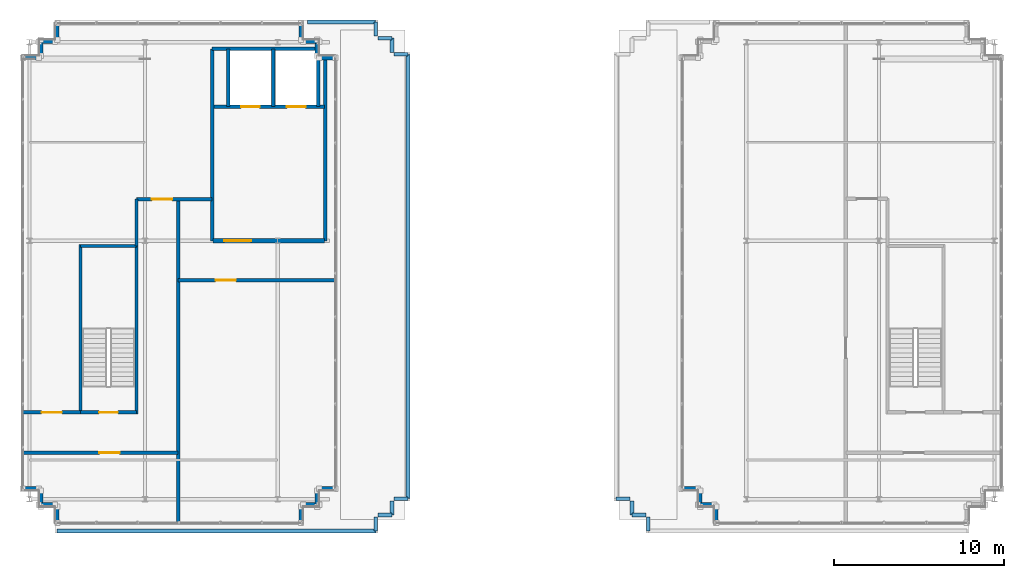
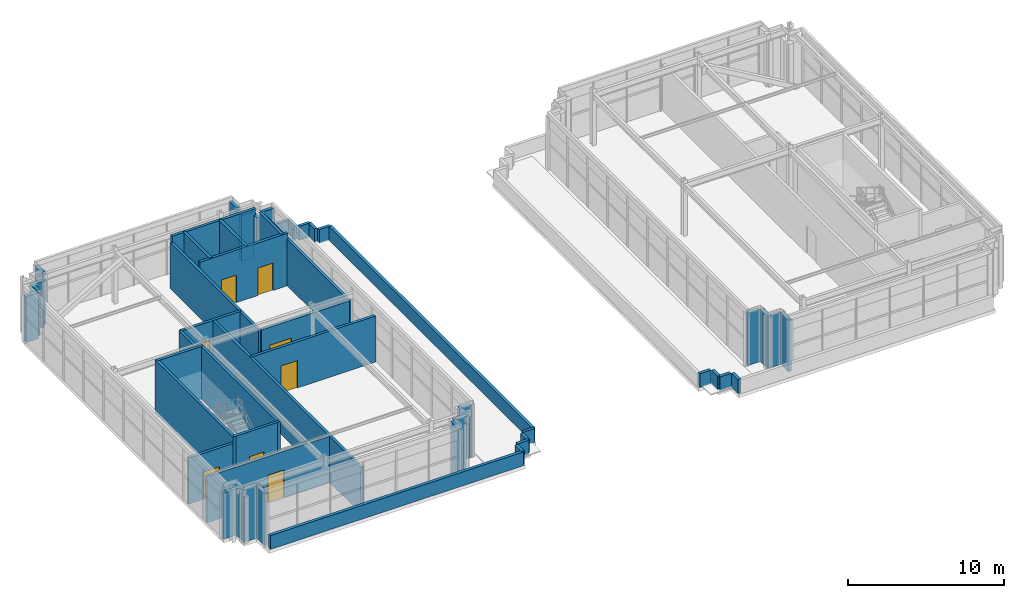
# One storey, part 25 of 28: 53 walls, 8 doors, 8 openings.
"""IFC4 building model written with IfcOpenShell, lengths in metres."""

from ifc_helpers import new_model, si_unit, direction, frame, frame_2d, origin, place, context, subcontext, project, spatial, rectangle, extrude, source, transform, mapped, material, layer, layer_set, type_object, element, fill, save


model = new_model("IFC4")

# Units and contexts
model_context = context("Model", 3, precision=1e-05, world=origin(), true_north=direction((0.0, 1.0)))
body_context = subcontext(model_context, "Body", "Model", "MODEL_VIEW")
ifc_project = project(units=[si_unit("LENGTHUNIT", "METRE"), si_unit("AREAUNIT", "SQUARE_METRE"), si_unit("VOLUMEUNIT", "CUBIC_METRE"), si_unit("PLANEANGLEUNIT", "RADIAN"), si_unit("MASSUNIT", "GRAM", prefix="KILO")], contexts=[model_context])

# Site, building, storey
site_placement = place(None, origin())
site = spatial("IfcSite", under=ifc_project, at=site_placement, CompositionType="ELEMENT")
building_placement = place(site_placement, origin())
building = spatial("IfcBuilding", under=site, at=building_placement, Name="Trelvane Seafront Commons", CompositionType="ELEMENT")
storey_placement = place(building_placement, frame((0.0, 0.0, 312.300048828125)))
storey = spatial("IfcBuildingStorey", under=building, at=storey_placement, Name="L81", CompositionType="ELEMENT", Elevation=312.300048828125)

# Walls
ifc_material_1 = material(Name="Precast concrete C40/50", Category="concrete")
ifc_layer_1 = layer(ifc_material_1, 0.239990234375, Name="ARCH-WALL-EXT240")
ifc_layer_set_1 = layer_set([ifc_layer_1], Name="Precast concrete C40/50")
wall_type_1 = type_object("IfcWallType", Name="ARCH-WALL-EXT240", PredefinedType="SOLIDWALL", material=ifc_layer_set_1)
wall_1_placement = place(storey_placement, frame((10.300048828125, 17.8701171875, 0.0), z_axis=(0.0, 0.0, 1.0), x_axis=(-1.0, 0.0, 0.0)))
element("IfcWall", 1, at=wall_1_placement, inside=storey, type_object=wall_type_1, Name="EW-L81-CRN-01692", PredefinedType="SOLIDWALL", context=body_context, shape_type="SweptSolid", body=[
    extrude(rectangle(XDim=0.949951171875, YDim=0.239990234375, at=frame_2d((0.47509765625, 0.0))), origin(), (0.0, 0.0, 1.0), 4.10986328125),
])
wall_2_placement = place(storey_placement, frame((9.469970703125, 17.75, 0.0), z_axis=(0.0, 0.0, 1.0), x_axis=(0.0, 1.0, 0.0)))
element("IfcWall", 2, at=wall_2_placement, inside=storey, type_object=wall_type_1, Name="EW-L81-CRN-01693", PredefinedType="SOLIDWALL", context=body_context, shape_type="SweptSolid", body=[
    extrude(rectangle(XDim=0.949951171875, YDim=0.239990234375, at=frame_2d((0.47509765625, 0.0))), origin(), (0.0, 0.0, 1.0), 3.60986328125),
])
for number, where, z_axis, x_axis, name in (
    (3, (9.35009765625, 18.820068359375, 0.0), (0.0, 0.0, 1.0), (-1.0, 0.0, 0.0), "EW-L81-CRN-01694"),
    (4, (8.39990234375, 44.179931640625, 0.0), (0.0, 0.0, 1.0), (1.0, 0.0, 0.0), "EW-L81-CRN-01695"),
):
    element("IfcWall", number, at=place(storey_placement, frame(where, z_axis=z_axis, x_axis=x_axis)), inside=storey, type_object=wall_type_1, Name=name, PredefinedType="SOLIDWALL", context=body_context, shape_type="SweptSolid", body=[
        extrude(rectangle(XDim=0.9501953125, YDim=0.239990234375, at=frame_2d((0.47509765625, 0.0))), origin(), (0.0, 0.0, 1.0), 3.60986328125),
    ])
for number, where, z_axis, x_axis, name in (
    (5, (9.469970703125, 44.300048828125, 0.0), (0.0, 0.0, 1.0), (0.0, 1.0, 0.0), "EW-L81-CRN-01696"),
    (6, (9.35009765625, 45.1298828125, 0.0), (0.0, 0.0, 1.0), (1.0, 0.0, 0.0), "EW-L81-CRN-01697"),
):
    element("IfcWall", number, at=place(storey_placement, frame(where, z_axis=z_axis, x_axis=x_axis)), inside=storey, type_object=wall_type_1, Name=name, PredefinedType="SOLIDWALL", context=body_context, shape_type="SweptSolid", body=[
        extrude(rectangle(XDim=0.949951171875, YDim=0.239990234375, at=frame_2d((0.47509765625, 0.0))), origin(), (0.0, 0.0, 1.0), 3.60986328125),
    ])
for number, where, z_axis, x_axis, name in (
    (7, (10.419921875, 45.25, 0.0), (0.0, 0.0, 1.0), (0.0, 1.0, 0.0), "EW-L81-CRN-01698"),
    (8, (24.780029296875, 46.199951171875, 0.0), (0.0, 0.0, 1.0), (0.0, -1.0, 0.0), "EW-L81-CRN-01699"),
):
    element("IfcWall", number, at=place(storey_placement, frame(where, z_axis=z_axis, x_axis=x_axis)), inside=storey, type_object=wall_type_1, Name=name, PredefinedType="SOLIDWALL", context=body_context, shape_type="SweptSolid", body=[
        extrude(rectangle(XDim=0.949951171875, YDim=0.239990234375, at=frame_2d((0.47509765625, 0.0))), origin(), (0.0, 0.0, 1.0), 4.10986328125),
    ])
wall_3_placement = place(storey_placement, frame((24.89990234375, 45.1298828125, 0.0), z_axis=(0.0, 0.0, 1.0), x_axis=(1.0, 0.0, 0.0)))
element("IfcWall", 9, at=wall_3_placement, inside=storey, type_object=wall_type_1, Name="EW-L81-CRN-01700", PredefinedType="SOLIDWALL", context=body_context, shape_type="SweptSolid", body=[
    extrude(rectangle(XDim=0.9501953125, YDim=0.239990234375, at=frame_2d((0.47509765625, 0.0))), origin(), (0.0, 0.0, 1.0), 3.60986328125),
])
wall_4_placement = place(storey_placement, frame((25.72998046875, 45.25, 0.0), z_axis=(0.0, 0.0, 1.0), x_axis=(0.0, -1.0, 0.0)))
element("IfcWall", 10, at=wall_4_placement, inside=storey, type_object=wall_type_1, Name="EW-L81-CRN-01701", PredefinedType="SOLIDWALL", context=body_context, shape_type="SweptSolid", body=[
    extrude(rectangle(XDim=0.949951171875, YDim=0.239990234375, at=frame_2d((0.47509765625, 0.0))), origin(), (0.0, 0.0, 1.0), 3.60986328125),
])
for number, where, z_axis, x_axis, name in (
    (11, (25.85009765625, 44.179931640625, 0.0), (0.0, 0.0, 1.0), (1.0, 0.0, 0.0), "EW-L81-CRN-01702"),
    (12, (26.800048828125, 18.820068359375, 0.0), (0.0, 0.0, 1.0), (-1.0, 0.0, 0.0), "EW-L81-CRN-01703"),
):
    element("IfcWall", number, at=place(storey_placement, frame(where, z_axis=z_axis, x_axis=x_axis)), inside=storey, type_object=wall_type_1, Name=name, PredefinedType="SOLIDWALL", context=body_context, shape_type="SweptSolid", body=[
        extrude(rectangle(XDim=0.949951171875, YDim=0.239990234375, at=frame_2d((0.47509765625, 0.0))), origin(), (0.0, 0.0, 1.0), 4.10986328125),
    ])
wall_5_placement = place(storey_placement, frame((25.72998046875, 18.699951171875, 0.0), z_axis=(0.0, 0.0, 1.0), x_axis=(0.0, -1.0, 0.0)))
element("IfcWall", 13, at=wall_5_placement, inside=storey, type_object=wall_type_1, Name="EW-L81-CRN-01704", PredefinedType="SOLIDWALL", context=body_context, shape_type="SweptSolid", body=[
    extrude(rectangle(XDim=0.949951171875, YDim=0.239990234375, at=frame_2d((0.47509765625, 0.0))), origin(), (0.0, 0.0, 1.0), 3.60986328125),
])
wall_6_placement = place(storey_placement, frame((25.85009765625, 17.8701171875, 0.0), z_axis=(0.0, 0.0, 1.0), x_axis=(-1.0, 0.0, 0.0)))
element("IfcWall", 14, at=wall_6_placement, inside=storey, type_object=wall_type_1, Name="EW-L81-CRN-01705", PredefinedType="SOLIDWALL", context=body_context, shape_type="SweptSolid", body=[
    extrude(rectangle(XDim=0.9501953125, YDim=0.239990234375, at=frame_2d((0.47509765625, 0.0))), origin(), (0.0, 0.0, 1.0), 4.10986328125),
])
for number, where, z_axis, x_axis, name in (
    (15, (24.780029296875, 17.75, 0.0), (0.0, 0.0, 1.0), (0.0, -1.0, 0.0), "EW-L81-CRN-01706"),
    (16, (10.419921875, 16.800048828125, 0.0), (0.0, 0.0, 1.0), (0.0, 1.0, 0.0), "EW-L81-CRN-01707"),
):
    element("IfcWall", number, at=place(storey_placement, frame(where, z_axis=z_axis, x_axis=x_axis)), inside=storey, type_object=wall_type_1, Name=name, PredefinedType="SOLIDWALL", context=body_context, shape_type="SweptSolid", body=[
        extrude(rectangle(XDim=0.949951171875, YDim=0.239990234375, at=frame_2d((0.47509765625, 0.0))), origin(), (0.0, 0.0, 1.0), 4.10986328125),
    ])
wall_7_placement = place(storey_placement, frame((49.10009765625, 17.8701171875, 0.0), z_axis=(0.0, 0.0, 1.0), x_axis=(-1.0, 0.0, 0.0)))
element("IfcWall", 17, at=wall_7_placement, inside=storey, type_object=wall_type_1, Name="EW-L81-CRN-01708", PredefinedType="SOLIDWALL", context=body_context, shape_type="SweptSolid", body=[
    extrude(rectangle(XDim=0.9501953125, YDim=0.239990234375, at=frame_2d((0.47509765625, 0.0))), origin(), (0.0, 0.0, 1.0), 4.10986328125),
])
for number, where, z_axis, x_axis, name in (
    (18, (48.27001953125, 17.75, 0.0), (0.0, 0.0, 1.0), (0.0, 1.0, 0.0), "EW-L81-CRN-01709"),
    (19, (48.14990234375, 18.820068359375, 0.0), (0.0, 0.0, 1.0), (-1.0, 0.0, 0.0), "EW-L81-CRN-01710"),
    (20, (49.219970703125, 16.800048828125, 0.0), (0.0, 0.0, 1.0), (0.0, 1.0, 0.0), "EW-L81-CRN-01723"),
):
    element("IfcWall", number, at=place(storey_placement, frame(where, z_axis=z_axis, x_axis=x_axis)), inside=storey, type_object=wall_type_1, Name=name, PredefinedType="SOLIDWALL", context=body_context, shape_type="SweptSolid", body=[
        extrude(rectangle(XDim=0.949951171875, YDim=0.239990234375, at=frame_2d((0.47509765625, 0.0))), origin(), (0.0, 0.0, 1.0), 4.10986328125),
    ])
ifc_material_2 = material(Name="Concrete C40/50", Category="concrete")
ifc_layer_2 = layer(ifc_material_2, 0.199951171875, Name="ARCH-WALL-FIRE200")
ifc_layer_set_2 = layer_set([ifc_layer_2], Name="Concrete C40/50")
wall_type_2 = type_object("IfcWallType", Name="ARCH-WALL-FIRE200", PredefinedType="PARTITIONING", material=ifc_layer_set_2)
wall_8_placement = place(storey_placement, frame((19.550048828125, 33.39990234375, 0.0), z_axis=(0.0, 0.0, 1.0), x_axis=(0.0, 1.0, 0.0)))
element("IfcWall", 21, at=wall_8_placement, inside=storey, type_object=wall_type_2, Name="W-L81-FFL-WEST-CR-009", PredefinedType="PARTITIONING", context=body_context, shape_type="SweptSolid", body=[
    extrude(rectangle(XDim=11.300048828125, YDim=0.199951171875, at=frame_2d((5.64990234375, 0.0))), origin(), (0.0, 0.0, 1.0), 3.60986328125),
])
wall_9_placement = place(storey_placement, frame((19.550048828125, 44.699951171875, 0.0), z_axis=(0.0, 0.0, 1.0), x_axis=(1.0, 0.0, 0.0)))
element("IfcWall", 22, at=wall_9_placement, inside=storey, type_object=wall_type_2, Name="W-L81-FFL-NORTH-CR-010", PredefinedType="PARTITIONING", context=body_context, shape_type="SweptSolid", body=[
    extrude(rectangle(XDim=6.179931640625, YDim=0.199951171875, at=frame_2d((3.08984375, 0.0))), origin(), (0.0, 0.0, 1.0), 4.10986328125),
])

# Wall, opening, door
wall_10_placement = place(storey_placement, frame((17.550048828125, 31.080078125, 0.0), z_axis=(0.0, 0.0, 1.0), x_axis=(1.0, 0.0, 0.0)))
wall_10 = element("IfcWall", 23, at=wall_10_placement, inside=storey, type_object=wall_type_2, Name="W-L81-CRNW-N-017", PredefinedType="PARTITIONING", context=body_context, shape_type="SweptSolid", body=[
    extrude(rectangle(XDim=9.239990234375, YDim=0.199951171875, at=frame_2d((4.6201171875, 0.0))), origin(), (0.0, 0.0, 1.0), 3.60986328125),
])
opening_1_placement = place(wall_10_placement, frame((2.199951171875, 0.0, 0.0)))
opening_1 = element("IfcOpeningElement", 24, at=opening_1_placement, cuts=wall_10, Name="Opening FD-L81-06", PredefinedType="OPENING", context=body_context, shape_type="SweptSolid", body=[
    extrude(rectangle(XDim=1.199951171875, YDim=2.14990234375, at=frame_2d((0.60009765625, 1.074951171875))), frame((0.0, 0.10986328125, 0.0), z_axis=(0.0, -1.0, 0.0), x_axis=(1.0, 0.0, 0.0)), (0.0, 0.0, 1.0), 0.219970703125),
])
ifc_material_3 = material(Name="Powder-coated aluminium frame", Category="aluminium")
door_type_1 = type_object("IfcDoorType", Name="ARCH-DR-FD60-1200", OperationType="NOTDEFINED", PredefinedType="DOOR", material=ifc_material_3)
shared_shape_1 = source(origin(), body_context, "Body", "SweptSolid", [
    extrude(rectangle(XDim=1.199951171875, YDim=2.14990234375, at=frame_2d((0.60009765625, 1.074951171875))), frame((0.0, 0.02490234375, 0.0), z_axis=(0.0, -1.0, 0.0), x_axis=(1.0, 0.0, 0.0)), (0.0, 0.0, 1.0), 0.050048828125),
])
door_1_placement = place(opening_1_placement, origin())
door_1 = element("IfcDoor", 25, at=door_1_placement, inside=storey, type_object=door_type_1, Name="L81 West AHU Plant Door", OperationType="SINGLE_SWING_RIGHT", OverallHeight=2.14990234375, OverallWidth=1.199951171875, PredefinedType="DOOR", context=body_context, shape_type="MappedRepresentation", body=[
    mapped(shared_shape_1, transform((0.0, 0.0, 0.0), x_axis=(1.0, 0.0, 0.0), y_axis=(0.0, 1.0, 0.0), z_axis=(0.0, 0.0, 1.0), scale=1.0)),
])
fill(opening_1, door_1)

# Wall
wall_11_placement = place(storey_placement, frame((17.550048828125, 16.81005859375, 0.0), z_axis=(0.0, 0.0, 1.0), x_axis=(0.0, 1.0, 0.0)))
element("IfcWall", 26, at=wall_11_placement, inside=storey, type_object=wall_type_2, Name="W-L81-CRNW-E-018", PredefinedType="PARTITIONING", context=body_context, shape_type="SweptSolid", body=[
    extrude(rectangle(XDim=19.0400390625, YDim=0.199951171875, at=frame_2d((9.52001953125, 0.0))), origin(), (0.0, 0.0, 1.0), 3.60986328125),
])

# Wall, opening, door
wall_12_placement = place(storey_placement, frame((8.409912109375, 20.919921875, 0.0), z_axis=(0.0, 0.0, 1.0), x_axis=(1.0, 0.0, 0.0)))
wall_12 = element("IfcWall", 27, at=wall_12_placement, inside=storey, type_object=wall_type_2, Name="W-L81-CRNW-S-019", PredefinedType="PARTITIONING", context=body_context, shape_type="SweptSolid", body=[
    extrude(rectangle(XDim=9.14013671875, YDim=0.199951171875, at=frame_2d((4.570068359375, 0.0))), origin(), (0.0, 0.0, 1.0), 3.60986328125),
])
opening_2_placement = place(wall_12_placement, frame((4.5, 0.0, 0.0)))
opening_2 = element("IfcOpeningElement", 28, at=opening_2_placement, cuts=wall_12, Name="Opening FD-L81-07", PredefinedType="OPENING", context=body_context, shape_type="SweptSolid", body=[
    extrude(rectangle(XDim=1.199951171875, YDim=2.14990234375, at=frame_2d((0.60009765625, 1.074951171875))), frame((0.0, 0.10986328125, 0.0), z_axis=(0.0, -1.0, 0.0), x_axis=(1.0, 0.0, 0.0)), (0.0, 0.0, 1.0), 0.219970703125),
])
door_2_placement = place(opening_2_placement, origin())
door_2 = element("IfcDoor", 29, at=door_2_placement, inside=storey, type_object=door_type_1, Name="L81 Emergency Power Room Door", OperationType="SINGLE_SWING_LEFT", OverallHeight=2.14990234375, OverallWidth=1.199951171875, PredefinedType="DOOR", context=body_context, shape_type="MappedRepresentation", body=[
    mapped(shared_shape_1, transform((0.0, 0.0, 0.0), x_axis=(1.0, 0.0, 0.0), y_axis=(0.0, 1.0, 0.0), z_axis=(0.0, 0.0, 1.0), scale=1.0)),
])
fill(opening_2, door_2)

wall_13_placement = place(storey_placement, frame((8.409912109375, 23.300048828125, 0.0), z_axis=(0.0, 0.0, 1.0), x_axis=(1.0, 0.0, 0.0)))
wall_13 = element("IfcWall", 30, at=wall_13_placement, inside=storey, type_object=wall_type_2, Name="W-L81-CRNW-WCT-020", PredefinedType="PARTITIONING", context=body_context, shape_type="SweptSolid", body=[
    extrude(rectangle(XDim=3.39013671875, YDim=0.199951171875, at=frame_2d((1.695068359375, 0.0))), origin(), (0.0, 0.0, 1.0), 3.60986328125),
])
opening_3_placement = place(wall_13_placement, frame((1.10009765625, 0.0, 0.0)))
opening_3 = element("IfcOpeningElement", 31, at=opening_3_placement, cuts=wall_13, Name="Opening FD-L81-08", PredefinedType="OPENING", context=body_context, shape_type="SweptSolid", body=[
    extrude(rectangle(XDim=1.199951171875, YDim=2.14990234375, at=frame_2d((0.60009765625, 1.074951171875))), frame((0.0, 0.10986328125, 0.0), z_axis=(0.0, -1.0, 0.0), x_axis=(1.0, 0.0, 0.0)), (0.0, 0.0, 1.0), 0.219970703125),
])
door_3_placement = place(opening_3_placement, origin())
door_3 = element("IfcDoor", 32, at=door_3_placement, inside=storey, type_object=door_type_1, Name="L81 Cooling Tower Hall Door", OperationType="SINGLE_SWING_RIGHT", OverallHeight=2.14990234375, OverallWidth=1.199951171875, PredefinedType="DOOR", context=body_context, shape_type="MappedRepresentation", body=[
    mapped(shared_shape_1, transform((0.0, 0.0, 0.0), x_axis=(1.0, 0.0, 0.0), y_axis=(0.0, 1.0, 0.0), z_axis=(0.0, 0.0, 1.0), scale=1.0)),
])
fill(opening_3, door_3)

wall_14_placement = place(storey_placement, frame((15.10009765625, 35.85009765625, 0.0), z_axis=(0.0, 0.0, 1.0), x_axis=(1.0, 0.0, 0.0)))
wall_14 = element("IfcWall", 33, at=wall_14_placement, inside=storey, type_object=wall_type_2, Name="W-L81-CRNW-SPN-021", PredefinedType="PARTITIONING", context=body_context, shape_type="SweptSolid", body=[
    extrude(rectangle(XDim=4.449951171875, YDim=0.199951171875, at=frame_2d((2.22509765625, 0.0))), origin(), (0.0, 0.0, 1.0), 3.60986328125),
])
opening_4_placement = place(wall_14_placement, frame((0.89990234375, 0.0, 0.0)))
opening_4 = element("IfcOpeningElement", 34, at=opening_4_placement, cuts=wall_14, Name="Opening FD-L81-09", PredefinedType="OPENING", context=body_context, shape_type="SweptSolid", body=[
    extrude(rectangle(XDim=1.199951171875, YDim=2.14990234375, at=frame_2d((0.60009765625, 1.074951171875))), frame((0.0, 0.10986328125, 0.0), z_axis=(0.0, -1.0, 0.0), x_axis=(1.0, 0.0, 0.0)), (0.0, 0.0, 1.0), 0.219970703125),
])
door_4_placement = place(opening_4_placement, origin())
door_4 = element("IfcDoor", 35, at=door_4_placement, inside=storey, type_object=door_type_1, Name="L81 Door 09", OperationType="SINGLE_SWING_LEFT", OverallHeight=2.14990234375, OverallWidth=1.199951171875, PredefinedType="DOOR", context=body_context, shape_type="MappedRepresentation", body=[
    mapped(shared_shape_1, transform((0.0, 0.0, 0.0), x_axis=(1.0, 0.0, 0.0), y_axis=(0.0, 1.0, 0.0), z_axis=(0.0, 0.0, 1.0), scale=1.0)),
])
fill(opening_4, door_4)

# Wall
wall_15_placement = place(storey_placement, frame((15.10009765625, 33.10009765625, 0.0), z_axis=(0.0, 0.0, 1.0), x_axis=(0.0, 1.0, 0.0)))
element("IfcWall", 36, at=wall_15_placement, inside=storey, type_object=wall_type_2, Name="W-L81-CRNW-SPW-022", PredefinedType="PARTITIONING", context=body_context, shape_type="SweptSolid", body=[
    extrude(rectangle(XDim=2.75, YDim=0.199951171875, at=frame_2d((1.375, 0.0))), origin(), (0.0, 0.0, 1.0), 3.60986328125),
])

# Wall, opening, door
ifc_layer_3 = layer(ifc_material_2, 0.25, Name="ARCH-WALL-FIRE250")
ifc_layer_set_3 = layer_set([ifc_layer_3], Name="Concrete C40/50")
wall_type_3 = type_object("IfcWallType", Name="ARCH-WALL-FIRE250", PredefinedType="PARTITIONING", material=ifc_layer_set_3)
wall_16_placement = place(storey_placement, frame((19.60009765625, 33.39990234375, 0.0), z_axis=(0.0, 0.0, 1.0), x_axis=(1.0, 0.0, 0.0)))
wall_16 = element("IfcWall", 37, at=wall_16_placement, inside=storey, type_object=wall_type_3, Name="W-L81-CS-FFL-016", PredefinedType="PARTITIONING", context=body_context, shape_type="SweptSolid", body=[
    extrude(rectangle(XDim=6.5498046875, YDim=0.25, at=frame_2d((3.27490234375, 0.0))), origin(), (0.0, 0.0, 1.0), 3.60986328125),
])
opening_5_placement = place(wall_16_placement, frame((0.64990234375, 0.0, 0.0)))
opening_5 = element("IfcOpeningElement", 38, at=opening_5_placement, cuts=wall_16, Name="Opening FD-L81-05", PredefinedType="OPENING", context=body_context, shape_type="SweptSolid", body=[
    extrude(rectangle(XDim=1.60009765625, YDim=2.199951171875, at=frame_2d((0.800048828125, 1.10009765625))), frame((0.0, 0.135009765625, 0.0), z_axis=(0.0, -1.0, 0.0), x_axis=(1.0, 0.0, 0.0)), (0.0, 0.0, 1.0), 0.27001953125),
])
door_type_2 = type_object("IfcDoorType", Name="ARCH-DR-FD60-1600", OperationType="DOUBLE_DOOR_SINGLE_SWING", PredefinedType="DOOR", material=ifc_material_3)
shared_shape_2 = source(origin(), body_context, "Body", "SweptSolid", [
    extrude(rectangle(XDim=1.60009765625, YDim=2.199951171875, at=frame_2d((0.800048828125, 1.10009765625))), frame((0.0, 0.02490234375, 0.0), z_axis=(0.0, -1.0, 0.0), x_axis=(1.0, 0.0, 0.0)), (0.0, 0.0, 1.0), 0.050048828125),
])
door_5_placement = place(opening_5_placement, origin())
door_5 = element("IfcDoor", 39, at=door_5_placement, inside=storey, type_object=door_type_2, Name="L81 Firefighting Lift Lobby Double Fire Door", OperationType="DOUBLE_DOOR_SINGLE_SWING", OverallHeight=2.199951171875, OverallWidth=1.60009765625, PredefinedType="DOOR", context=body_context, shape_type="MappedRepresentation", body=[
    mapped(shared_shape_2, transform((0.0, 0.0, 0.0), x_axis=(1.0, 0.0, 0.0), y_axis=(0.0, 1.0, 0.0), z_axis=(0.0, 0.0, 1.0), scale=1.0)),
])
fill(opening_5, door_5)

# Walls
ifc_layer_4 = layer(ifc_material_1, 0.219970703125, Name="ARCH-WALL-PARAPET220")
ifc_layer_set_4 = layer_set([ifc_layer_4], Name="Precast concrete C40/50")
wall_type_4 = type_object("IfcWallType", Name="ARCH-WALL-PARAPET220", PredefinedType="PARAPET", material=ifc_layer_set_4)
wall_17_placement = place(storey_placement, frame((25.168212890625, 46.280029296875, 0.0), z_axis=(0.0, 0.0, 1.0), x_axis=(1.0, 0.0, 0.0)))
element("IfcWall", 40, at=wall_17_placement, inside=storey, type_object=wall_type_4, Name="PAR-L81-1724", PredefinedType="PARAPET", context=body_context, shape_type="SweptSolid", body=[
    extrude(rectangle(XDim=4.01171875, YDim=0.219970703125, at=frame_2d((2.005859375, 0.0))), origin(), (0.0, 0.0, 1.0), 1.079833984375),
])
wall_18_placement = place(storey_placement, frame((29.179931640625, 46.280029296875, 0.0), z_axis=(0.0, 0.0, 1.0), x_axis=(0.0, -1.0, 0.0)))
element("IfcWall", 41, at=wall_18_placement, inside=storey, type_object=wall_type_4, Name="PAR-L81-1725", PredefinedType="PARAPET", context=body_context, shape_type="SweptSolid", body=[
    extrude(rectangle(XDim=0.830078125, YDim=0.219970703125, at=frame_2d((0.4150390625, 0.0))), origin(), (0.0, 0.0, 1.0), 1.079833984375),
])
wall_19_placement = place(storey_placement, frame((29.300048828125, 45.330078125, 0.0), z_axis=(0.0, 0.0, 1.0), x_axis=(1.0, 0.0, 0.0)))
element("IfcWall", 42, at=wall_19_placement, inside=storey, type_object=wall_type_4, Name="PAR-L81-1726", PredefinedType="PARAPET", context=body_context, shape_type="SweptSolid", body=[
    extrude(rectangle(XDim=0.829833984375, YDim=0.219970703125, at=frame_2d((0.4150390625, 0.0))), origin(), (0.0, 0.0, 1.0), 1.079833984375),
])
for number, where, z_axis, x_axis, name in (
    (43, (30.1298828125, 45.330078125, 0.0), (0.0, 0.0, 1.0), (0.0, -1.0, 0.0), "PAR-L81-1727"),
    (44, (30.25, 44.3798828125, 0.0), (0.0, 0.0, 1.0), (1.0, 0.0, 0.0), "PAR-L81-1728"),
):
    element("IfcWall", number, at=place(storey_placement, frame(where, z_axis=z_axis, x_axis=x_axis)), inside=storey, type_object=wall_type_4, Name=name, PredefinedType="PARAPET", context=body_context, shape_type="SweptSolid", body=[
        extrude(rectangle(XDim=0.830078125, YDim=0.219970703125, at=frame_2d((0.4150390625, 0.0))), origin(), (0.0, 0.0, 1.0), 1.079833984375),
    ])
wall_20_placement = place(storey_placement, frame((31.080078125, 44.3798828125, 0.0), z_axis=(0.0, 0.0, 1.0), x_axis=(0.0, -1.0, 0.0)))
element("IfcWall", 45, at=wall_20_placement, inside=storey, type_object=wall_type_4, Name="PAR-L81-1729", PredefinedType="PARAPET", context=body_context, shape_type="SweptSolid", body=[
    extrude(rectangle(XDim=26.159912109375, YDim=0.219970703125, at=frame_2d((13.080078125, 0.0))), origin(), (0.0, 0.0, 1.0), 1.079833984375),
])
for number, where, z_axis, x_axis, name in (
    (46, (31.080078125, 18.219970703125, 0.0), (0.0, 0.0, 1.0), (-1.0, 0.0, 0.0), "PAR-L81-1730"),
    (47, (30.1298828125, 18.10009765625, 0.0), (0.0, 0.0, 1.0), (0.0, -1.0, 0.0), "PAR-L81-1731"),
):
    element("IfcWall", number, at=place(storey_placement, frame(where, z_axis=z_axis, x_axis=x_axis)), inside=storey, type_object=wall_type_4, Name=name, PredefinedType="PARAPET", context=body_context, shape_type="SweptSolid", body=[
        extrude(rectangle(XDim=0.830078125, YDim=0.219970703125, at=frame_2d((0.4150390625, 0.0))), origin(), (0.0, 0.0, 1.0), 1.079833984375),
    ])
for number, where, z_axis, x_axis, name in (
    (48, (30.1298828125, 17.27001953125, 0.0), (0.0, 0.0, 1.0), (-1.0, 0.0, 0.0), "PAR-L81-1732"),
    (49, (29.179931640625, 17.14990234375, 0.0), (0.0, 0.0, 1.0), (0.0, -1.0, 0.0), "PAR-L81-1733"),
):
    element("IfcWall", number, at=place(storey_placement, frame(where, z_axis=z_axis, x_axis=x_axis)), inside=storey, type_object=wall_type_4, Name=name, PredefinedType="PARAPET", context=body_context, shape_type="SweptSolid", body=[
        extrude(rectangle(XDim=0.829833984375, YDim=0.219970703125, at=frame_2d((0.4150390625, 0.0))), origin(), (0.0, 0.0, 1.0), 1.079833984375),
    ])
wall_21_placement = place(storey_placement, frame((29.179931640625, 16.320068359375, 0.0), z_axis=(0.0, 0.0, 1.0), x_axis=(-1.0, 0.0, 0.0)))
element("IfcWall", 50, at=wall_21_placement, inside=storey, type_object=wall_type_4, Name="PAR-L81-1734", PredefinedType="PARAPET", context=body_context, shape_type="SweptSolid", body=[
    extrude(rectangle(XDim=18.760009765625, YDim=0.219970703125, at=frame_2d((9.3798828125, 0.0))), origin(), (0.0, 0.0, 1.0), 1.079833984375),
])
wall_22_placement = place(storey_placement, frame((44.27001953125, 17.27001953125, 0.0), z_axis=(0.0, 0.0, 1.0), x_axis=(0.0, 1.0, 0.0)))
element("IfcWall", 51, at=wall_22_placement, inside=storey, type_object=wall_type_4, Name="PAR-L81-1735", PredefinedType="PARAPET", context=body_context, shape_type="SweptSolid", body=[
    extrude(rectangle(XDim=0.830078125, YDim=0.219970703125, at=frame_2d((0.4150390625, 0.0))), origin(), (0.0, 0.0, 1.0), 1.079833984375),
])
for number, where, z_axis, x_axis, name in (
    (52, (44.14990234375, 18.219970703125, 0.0), (0.0, 0.0, 1.0), (-1.0, 0.0, 0.0), "PAR-L81-1736"),
    (53, (45.219970703125, 16.320068359375, 0.0), (0.0, 0.0, 1.0), (0.0, 1.0, 0.0), "PAR-L81-1744"),
):
    element("IfcWall", number, at=place(storey_placement, frame(where, z_axis=z_axis, x_axis=x_axis)), inside=storey, type_object=wall_type_4, Name=name, PredefinedType="PARAPET", context=body_context, shape_type="SweptSolid", body=[
        extrude(rectangle(XDim=0.829833984375, YDim=0.219970703125, at=frame_2d((0.4150390625, 0.0))), origin(), (0.0, 0.0, 1.0), 1.079833984375),
    ])
wall_23_placement = place(storey_placement, frame((45.10009765625, 17.27001953125, 0.0), z_axis=(0.0, 0.0, 1.0), x_axis=(-1.0, 0.0, 0.0)))
element("IfcWall", 54, at=wall_23_placement, inside=storey, type_object=wall_type_4, Name="PAR-L81-1745", PredefinedType="PARAPET", context=body_context, shape_type="SweptSolid", body=[
    extrude(rectangle(XDim=0.830078125, YDim=0.219970703125, at=frame_2d((0.4150390625, 0.0))), origin(), (0.0, 0.0, 1.0), 1.079833984375),
])

# Wall, openings, doors
ifc_layer_5 = layer(ifc_material_2, 0.199951171875, Name="ARCH-WALL-SHAFT200")
ifc_layer_set_5 = layer_set([ifc_layer_5], Name="Concrete C40/50")
wall_type_5 = type_object("IfcWallType", Name="ARCH-WALL-SHAFT200", PredefinedType="SOLIDWALL", material=ifc_layer_set_5)
wall_24_placement = place(storey_placement, frame((19.64990234375, 41.300048828125, 0.0), z_axis=(0.0, 0.0, 1.0), x_axis=(1.0, 0.0, 0.0)))
wall_24 = element("IfcWall", 55, at=wall_24_placement, inside=storey, type_object=wall_type_5, Name="W-L81-FFL-FRONT-011", PredefinedType="SOLIDWALL", context=body_context, shape_type="SweptSolid", body=[
    extrude(rectangle(XDim=6.5, YDim=0.199951171875, at=frame_2d((3.25, 0.0))), origin(), (0.0, 0.0, 1.0), 4.10986328125),
])
opening_6_placement = place(wall_24_placement, frame((1.60009765625, 0.0, 0.0)))
opening_6 = element("IfcOpeningElement", 56, at=opening_6_placement, cuts=wall_24, Name="Opening LD-FF1-L81", PredefinedType="OPENING", context=body_context, shape_type="SweptSolid", body=[
    extrude(rectangle(XDim=1.10009765625, YDim=2.14990234375, at=frame_2d((0.550048828125, 1.074951171875))), frame((0.0, 0.10986328125, 0.0), z_axis=(0.0, -1.0, 0.0), x_axis=(1.0, 0.0, 0.0)), (0.0, 0.0, 1.0), 0.219970703125),
])
opening_7_placement = place(wall_24_placement, frame((4.300048828125, 0.0, 0.0)))
opening_7 = element("IfcOpeningElement", 57, at=opening_7_placement, cuts=wall_24, Name="Opening LD-FF2-L81", PredefinedType="OPENING", context=body_context, shape_type="SweptSolid", body=[
    extrude(rectangle(XDim=1.10009765625, YDim=2.14990234375, at=frame_2d((0.550048828125, 1.074951171875))), frame((0.0, 0.10986328125, 0.0), z_axis=(0.0, -1.0, 0.0), x_axis=(1.0, 0.0, 0.0)), (0.0, 0.0, 1.0), 0.219970703125),
])
ifc_material_4 = material(Name="Stainless steel balustrade", Category="steel")
door_type_3 = type_object("IfcDoorType", Name="ARCH-DR-LD1100", OperationType="DOUBLE_DOOR_SLIDING", PredefinedType="DOOR", material=ifc_material_4)
shared_shape_3 = source(origin(), body_context, "Body", "SweptSolid", [
    extrude(rectangle(XDim=1.10009765625, YDim=2.14990234375, at=frame_2d((0.550048828125, 1.074951171875))), frame((0.0, 0.02490234375, 0.0), z_axis=(0.0, -1.0, 0.0), x_axis=(1.0, 0.0, 0.0)), (0.0, 0.0, 1.0), 0.050048828125),
])
door_6_placement = place(opening_6_placement, origin())
door_6 = element("IfcDoor", 58, at=door_6_placement, inside=storey, type_object=door_type_3, Name="L81 Firefighting Lift FFL-1 Landing Door", OperationType="DOUBLE_DOOR_SLIDING", OverallHeight=2.14990234375, OverallWidth=1.10009765625, PredefinedType="DOOR", context=body_context, shape_type="MappedRepresentation", body=[
    mapped(shared_shape_3, transform((0.0, 0.0, 0.0), x_axis=(1.0, 0.0, 0.0), y_axis=(0.0, 1.0, 0.0), z_axis=(0.0, 0.0, 1.0), scale=1.0)),
])
fill(opening_6, door_6)
door_7_placement = place(opening_7_placement, origin())
door_7 = element("IfcDoor", 59, at=door_7_placement, inside=storey, type_object=door_type_3, Name="L81 Firefighting Lift FFL-2 Landing Door", OperationType="DOUBLE_DOOR_SLIDING", OverallHeight=2.14990234375, OverallWidth=1.10009765625, PredefinedType="DOOR", context=body_context, shape_type="MappedRepresentation", body=[
    mapped(shared_shape_3, transform((0.0, 0.0, 0.0), x_axis=(1.0, 0.0, 0.0), y_axis=(0.0, 1.0, 0.0), z_axis=(0.0, 0.0, 1.0), scale=1.0)),
])
fill(opening_7, door_7)

# Walls
for number, where, z_axis, x_axis, name in (
    (60, (20.5, 41.300048828125, 0.0), (0.0, 0.0, 1.0), (0.0, 1.0, 0.0), "W-L81-FFL-SH-W-012"),
    (61, (23.14990234375, 41.300048828125, 0.0), (0.0, 0.0, 1.0), (0.0, 1.0, 0.0), "W-L81-FFL-DIV-013"),
):
    element("IfcWall", number, at=place(storey_placement, frame(where, z_axis=z_axis, x_axis=x_axis)), inside=storey, type_object=wall_type_5, Name=name, PredefinedType="SOLIDWALL", context=body_context, shape_type="SweptSolid", body=[
        extrude(rectangle(XDim=3.39990234375, YDim=0.199951171875, at=frame_2d((1.699951171875, 0.0))), origin(), (0.0, 0.0, 1.0), 4.10986328125),
    ])
wall_25_placement = place(storey_placement, frame((25.800048828125, 41.300048828125, 0.0), z_axis=(0.0, 0.0, 1.0), x_axis=(0.0, 1.0, 0.0)))
element("IfcWall", 62, at=wall_25_placement, inside=storey, type_object=wall_type_5, Name="W-L81-FFL-SH-E-014", PredefinedType="SOLIDWALL", context=body_context, shape_type="SweptSolid", body=[
    extrude(rectangle(XDim=2.85986328125, YDim=0.199951171875, at=frame_2d((1.429931640625, 0.0))), origin(), (0.0, 0.0, 1.0), 4.10986328125),
])
wall_26_placement = place(storey_placement, frame((26.199951171875, 33.39990234375, 0.0), z_axis=(0.0, 0.0, 1.0), x_axis=(0.0, 1.0, 0.0)))
element("IfcWall", 63, at=wall_26_placement, inside=storey, type_object=wall_type_5, Name="W-L81-FFL-EAST-015", PredefinedType="SOLIDWALL", context=body_context, shape_type="SweptSolid", body=[
    extrude(rectangle(XDim=10.760009765625, YDim=0.199951171875, at=frame_2d((5.3798828125, 0.0))), origin(), (0.0, 0.0, 1.0), 3.60986328125),
])
ifc_material_5 = material(Name="Concrete C50/60", Category="concrete")
ifc_layer_6 = layer(ifc_material_5, 0.199951171875, Name="STR-WALL-STAIR200")
ifc_layer_set_6 = layer_set([ifc_layer_6], Name="Concrete C50/60")
wall_type_6 = type_object("IfcWallType", Name="STR-WALL-STAIR200", PredefinedType="SHEAR", material=ifc_layer_set_6)
for number, where, z_axis, x_axis, name in (
    (64, (11.800048828125, 23.199951171875, 0.0), (0.0, 0.0, 1.0), (0.0, 1.0, 0.0), "W-L81-ST5-W-001"),
    (65, (15.10009765625, 23.199951171875, 0.0), (0.0, 0.0, 1.0), (0.0, 1.0, 0.0), "W-L81-ST5-E-002"),
):
    element("IfcWall", number, at=place(storey_placement, frame(where, z_axis=z_axis, x_axis=x_axis)), inside=storey, type_object=wall_type_6, Name=name, PredefinedType="SHEAR", context=body_context, shape_type="SweptSolid", body=[
        extrude(rectangle(XDim=10.0, YDim=0.199951171875, at=frame_2d((5.0, 0.0))), origin(), (0.0, 0.0, 1.0), 4.10986328125),
    ])
wall_27_placement = place(storey_placement, frame((11.800048828125, 33.10009765625, 0.0), z_axis=(0.0, 0.0, 1.0), x_axis=(1.0, 0.0, 0.0)))
element("IfcWall", 66, at=wall_27_placement, inside=storey, type_object=wall_type_6, Name="W-L81-ST5-N-003", PredefinedType="SHEAR", context=body_context, shape_type="SweptSolid", body=[
    extrude(rectangle(XDim=3.300048828125, YDim=0.199951171875, at=frame_2d((1.64990234375, 0.0))), origin(), (0.0, 0.0, 1.0), 4.10986328125),
])

# Wall, opening, door
wall_28_placement = place(storey_placement, frame((11.800048828125, 23.300048828125, 0.0), z_axis=(0.0, 0.0, 1.0), x_axis=(1.0, 0.0, 0.0)))
wall_28 = element("IfcWall", 67, at=wall_28_placement, inside=storey, type_object=wall_type_6, Name="W-L81-ST5-S-004", PredefinedType="SHEAR", context=body_context, shape_type="SweptSolid", body=[
    extrude(rectangle(XDim=3.300048828125, YDim=0.199951171875, at=frame_2d((1.64990234375, 0.0))), origin(), (0.0, 0.0, 1.0), 4.10986328125),
])
opening_8_placement = place(wall_28_placement, frame((1.10009765625, 0.0, 0.0)))
opening_8 = element("IfcOpeningElement", 68, at=opening_8_placement, cuts=wall_28, Name="Opening ST-D-ST5-L81", PredefinedType="OPENING", context=body_context, shape_type="SweptSolid", body=[
    extrude(rectangle(XDim=1.10009765625, YDim=2.14990234375, at=frame_2d((0.550048828125, 1.074951171875))), frame((0.0, 0.10986328125, 0.0), z_axis=(0.0, -1.0, 0.0), x_axis=(1.0, 0.0, 0.0)), (0.0, 0.0, 1.0), 0.219970703125),
])
door_type_4 = type_object("IfcDoorType", Name="ARCH-DR-FD90-1100", OperationType="NOTDEFINED", PredefinedType="DOOR", material=ifc_material_3)
door_8_placement = place(opening_8_placement, origin())
door_8 = element("IfcDoor", 69, at=door_8_placement, inside=storey, type_object=door_type_4, Name="L81 Crown ST5 Fire Door", OperationType="SINGLE_SWING_LEFT", OverallHeight=2.14990234375, OverallWidth=1.10009765625, PredefinedType="DOOR", context=body_context, shape_type="MappedRepresentation", body=[
    mapped(shared_shape_3, transform((0.0, 0.0, 0.0), x_axis=(1.0, 0.0, 0.0), y_axis=(0.0, 1.0, 0.0), z_axis=(0.0, 0.0, 1.0), scale=1.0)),
])
fill(opening_8, door_8)

save(model, "model.ifc")
